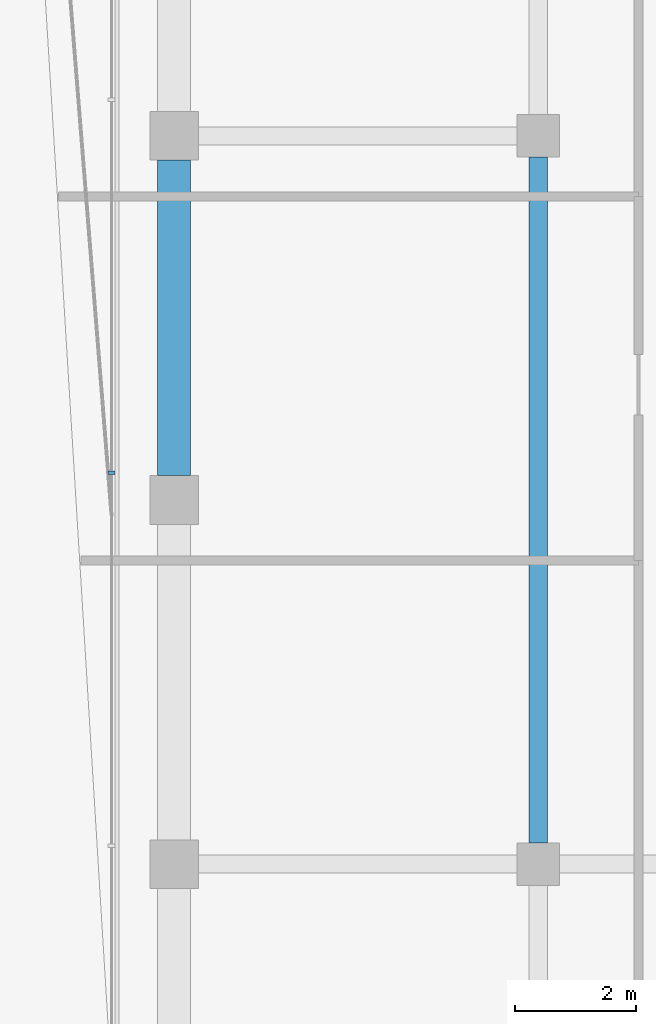
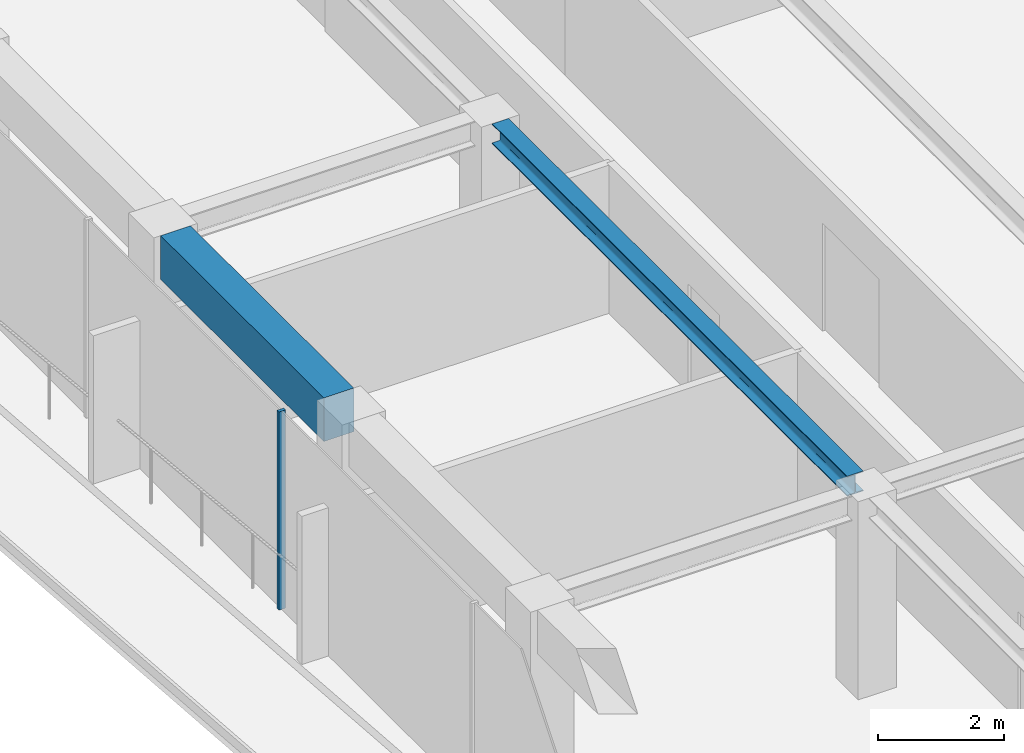
# One storey, part 8 of 21: 2 beams, 1 member, 1 element without a shape of its own.
"""IFC4 building model written with IfcOpenShell, lengths in metres."""

from ifc_helpers import new_model, si_unit, direction, frame, origin, origin_2d, place, context, subcontext, project, spatial, rectangle, i_section, extrude, material, layer, layer_set, material_profile, profile_set, type_object, element, aggregate, save


model = new_model("IFC4")

# Units and contexts
model_context = context("Model", 3, precision=1e-05, world=origin(), true_north=direction((0.0, 1.0)))
body_context = subcontext(model_context, "Body", "Model", "MODEL_VIEW")
ifc_project = project(units=[si_unit("LENGTHUNIT", "METRE"), si_unit("AREAUNIT", "SQUARE_METRE"), si_unit("VOLUMEUNIT", "CUBIC_METRE"), si_unit("PLANEANGLEUNIT", "RADIAN"), si_unit("MASSUNIT", "GRAM", prefix="KILO")], contexts=[model_context])

# Site, building, storey
site_placement = place(None, origin())
site = spatial("IfcSite", under=ifc_project, at=site_placement, CompositionType="ELEMENT")
building_placement = place(site_placement, origin())
building = spatial("IfcBuilding", under=site, at=building_placement, Name="Welwitschia Terrace Campus", CompositionType="ELEMENT")
storey_placement = place(building_placement, frame((0.0, 0.0, 213.800048828125)))
storey = spatial("IfcBuildingStorey", under=building, at=storey_placement, Name="L47", CompositionType="ELEMENT", Elevation=213.800048828125)

# Beam
ifc_material_1 = material(Name="Steel S355", Category="steel")
ifc_material_profile_1 = material_profile(ifc_material_1, i_section(OverallWidth=0.300048828125, OverallDepth=0.389892578125, WebThickness=0.010986328125, FlangeThickness=0.01904296875, FilletRadius=0.027099609375, at=origin_2d()))
ifc_profile_set_1 = profile_set([ifc_material_profile_1], Name="Steel S355")
beam_type_1 = type_object("IfcBeamType", Name="Interior girder HE 400 A", PredefinedType="BEAM", material=ifc_profile_set_1)
beam_1_placement = place(storey_placement, frame((6.0, 40.3505859375, 3.655029296875), z_axis=(0.0, 1.0, 0.0), x_axis=(-1.0, 0.0, 0.0)))
element("IfcBeam", 1, at=beam_1_placement, inside=storey, type_object=beam_type_1, Name="Girder GB5", PredefinedType="BEAM", context=body_context, shape_type="SweptSolid", body=[
    extrude(i_section(OverallWidth=0.300048828125, OverallDepth=0.389892578125, WebThickness=0.010986328125, FlangeThickness=0.01904296875, FilletRadius=0.027099609375, at=origin_2d()), origin(), (0.0, 0.0, 1.0), 11.298828125),
])

# Curtain wall, member
ifc_material_2 = material(Name="Bronze anodised aluminium", Category="aluminium")
ifc_layer = layer(ifc_material_2, 0.1201171875)
ifc_layer_set = layer_set([ifc_layer], Name="Bronze anodised aluminium")
curtain_wall_type = type_object("IfcCurtainWallType", Name="Curtain wall CW2 tower 6000", PredefinedType="NOTDEFINED", material=ifc_layer_set)
curtain_wall_placement = place(storey_placement, origin())
curtain_wall = element("IfcCurtainWall", 2, at=curtain_wall_placement, inside=storey, type_object=curtain_wall_type, Name="CW L47.8.0", PredefinedType="NOTDEFINED")
ifc_material_3 = material(Name="Bronze anodised aluminium", Category="aluminium")
ifc_material_profile_2 = material_profile(ifc_material_3, rectangle(XDim=0.1201171875, YDim=0.06005859375, at=origin_2d()))
ifc_profile_set_2 = profile_set([ifc_material_profile_2], Name="Bronze anodised aluminium")
member_type = type_object("IfcMemberType", Name="Mullion 60x120", PredefinedType="MULLION", material=ifc_profile_set_2)
member_placement = place(storey_placement, frame((-1.030029296875, 46.447265625, 0.0), z_axis=(0.0, 0.0, 1.0), x_axis=(1.0, 0.0, 0.0)))
member = element("IfcMember", 3, at=member_placement, type_object=member_type, Name="Mullion L47.8.0.4", PredefinedType="MULLION", context=body_context, shape_type="SweptSolid", body=[
    extrude(rectangle(XDim=0.1201171875, YDim=0.06005859375, at=origin_2d()), origin(), (0.0, 0.0, 1.0), 3.849853515625),
])
aggregate(curtain_wall, [member])

# Beam
ifc_material_4 = material(Name="Concrete C50/60", Category="concrete")
ifc_material_profile_3 = material_profile(ifc_material_4, rectangle(XDim=0.550048828125, YDim=0.85009765625, at=origin_2d()))
ifc_profile_set_3 = profile_set([ifc_material_profile_3], Name="Concrete C50/60")
beam_type_2 = type_object("IfcBeamType", Name="Ring spandrel 550x850", PredefinedType="SPANDREL", material=ifc_profile_set_3)
beam_2_placement = place(storey_placement, frame((0.0, 51.599609375, 3.425048828125), z_axis=(0.0, -1.0, 0.0), x_axis=(1.0, 0.0, 0.0)))
element("IfcBeam", 4, at=beam_2_placement, inside=storey, type_object=beam_type_2, Name="Spandrel SP3", PredefinedType="SPANDREL", context=body_context, shape_type="SweptSolid", body=[
    extrude(rectangle(XDim=0.550048828125, YDim=0.85009765625, at=origin_2d()), origin(), (0.0, 0.0, 1.0), 5.19921875),
])

save(model, "model.ifc")
